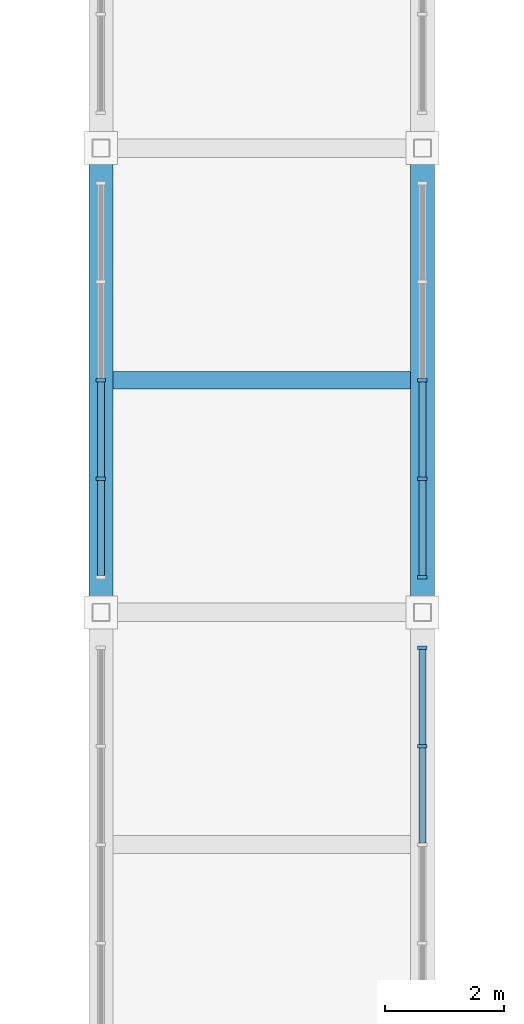
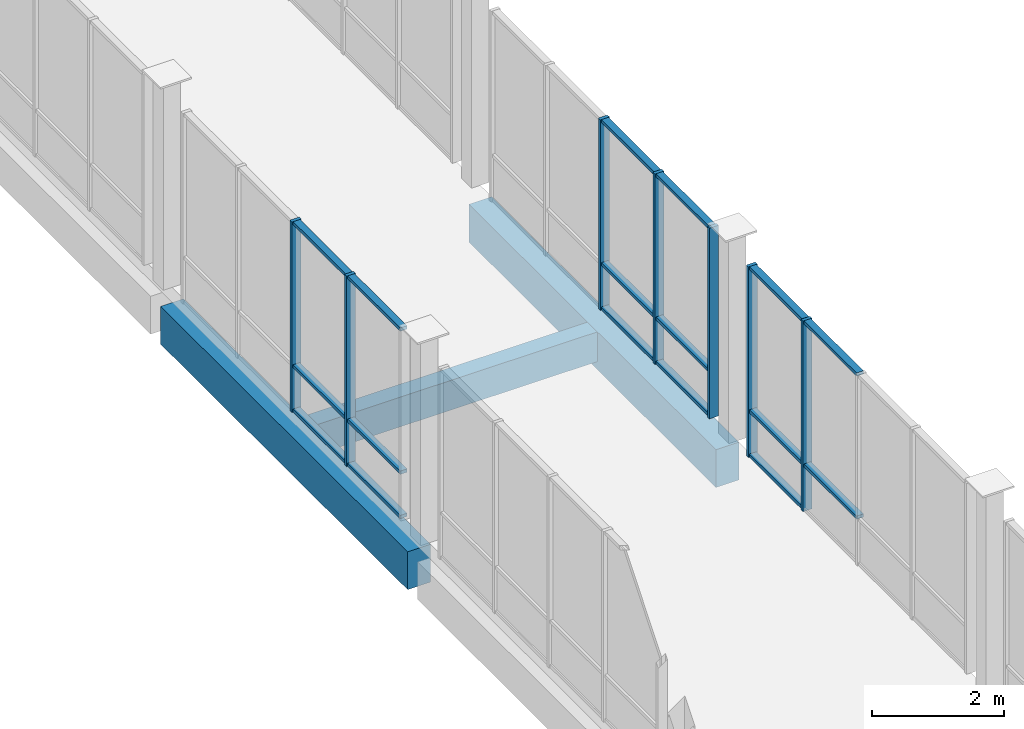
# One storey, part 24 of 85: 24 members, 3 beams, 3 elements without a shape of their own.
"""IFC4 building model written with IfcOpenShell, lengths in metres."""

from ifc_helpers import new_model, si_unit, direction, frame, origin, origin_2d, place, context, subcontext, project, spatial, rectangle, extrude, material, material_profile, profile_set, type_object, element, aggregate, save


model = new_model("IFC4")

# Units and contexts
model_context = context("Model", 3, precision=1e-05, world=origin(), true_north=direction((0.0, 1.0)))
body_context = subcontext(model_context, "Body", "Model", "MODEL_VIEW")
ifc_project = project(units=[si_unit("LENGTHUNIT", "METRE"), si_unit("AREAUNIT", "SQUARE_METRE"), si_unit("VOLUMEUNIT", "CUBIC_METRE"), si_unit("PLANEANGLEUNIT", "RADIAN"), si_unit("MASSUNIT", "GRAM", prefix="KILO")], contexts=[model_context])

# Site, building, storey
site_placement = place(None, origin())
site = spatial("IfcSite", under=ifc_project, at=site_placement, CompositionType="ELEMENT")
building_placement = place(site_placement, origin())
building = spatial("IfcBuilding", under=site, at=building_placement, Name="Vervanel Yard Central Library", CompositionType="ELEMENT")
storey_placement = place(building_placement, frame((0.0, 0.0, 5.10009765625)))
storey = spatial("IfcBuildingStorey", under=building, at=storey_placement, Name="L01", CompositionType="ELEMENT", Elevation=5.10009765625)

# Curtain wall, members
ifc_material_1 = material(Name="Thermally broken anodized aluminium 6063-T6", Category="aluminium")
curtain_wall_type = type_object("IfcCurtainWallType", Name="Boulevard Cafe & Bridge Curtain Wall", PredefinedType="NOTDEFINED", material=ifc_material_1)
curtain_wall_1_placement = place(storey_placement, origin())
curtain_wall_1 = element("IfcCurtainWall", 1, at=curtain_wall_1_placement, inside=storey, type_object=curtain_wall_type, Name="L01 Boulevard Cafe & Bridge Curtain Wall CWR-L01-181", PredefinedType="NOTDEFINED")
ifc_material_profile_1 = material_profile(ifc_material_1, rectangle(XDim=0.06005859375, YDim=0.159912109375, at=origin_2d()), Name="ALU 60x160", Category="aluminium")
ifc_profile_set_1 = profile_set([ifc_material_profile_1], Name="Thermally broken anodized aluminium 6063-T6")
member_type_1 = type_object("IfcMemberType", Name="Bridge & Courtyard Mullion 60x160", PredefinedType="MULLION", material=ifc_profile_set_1)
member_1_placement = place(storey_placement, frame((72.0, 61.044921875, 0.0), z_axis=(0.0, 0.0, 1.0), x_axis=(0.0, 1.0, 0.0)))
member_1 = element("IfcMember", 2, at=member_1_placement, type_object=member_type_1, Name="CWR-L01-181 Mullion 2", PredefinedType="MULLION", context=body_context, shape_type="SweptSolid", body=[
    extrude(rectangle(XDim=0.06005859375, YDim=0.159912109375, at=origin_2d()), origin(), (0.0, 0.0, 1.0), 3.52978515625),
])
member_2_placement = place(storey_placement, frame((72.0, 62.699951171875, 0.0), z_axis=(0.0, 0.0, 1.0), x_axis=(0.0, 1.0, 0.0)))
member_2 = element("IfcMember", 3, at=member_2_placement, type_object=member_type_1, Name="CWR-L01-181 Mullion 3", PredefinedType="MULLION", context=body_context, shape_type="SweptSolid", body=[
    extrude(rectangle(XDim=0.06005859375, YDim=0.159912109375, at=origin_2d()), origin(), (0.0, 0.0, 1.0), 3.52978515625),
])

curtain_wall_2_placement = place(storey_placement, origin())
curtain_wall_2 = element("IfcCurtainWall", 4, at=curtain_wall_2_placement, inside=storey, type_object=curtain_wall_type, Name="L01 Boulevard Cafe & Bridge Curtain Wall CWR-L01-188", PredefinedType="NOTDEFINED")
member_3_placement = place(storey_placement, frame((77.39990234375, 56.554931640625, 0.0), z_axis=(0.0, 0.0, 1.0), x_axis=(0.0, 1.0, 0.0)))
member_3 = element("IfcMember", 5, at=member_3_placement, type_object=member_type_1, Name="CWR-L01-188 Mullion 4", PredefinedType="MULLION", context=body_context, shape_type="SweptSolid", body=[
    extrude(rectangle(XDim=0.06005859375, YDim=0.159912109375, at=origin_2d()), origin(), (0.0, 0.0, 1.0), 3.52978515625),
])
member_4_placement = place(storey_placement, frame((77.39990234375, 58.2099609375, 0.0), z_axis=(0.0, 0.0, 1.0), x_axis=(0.0, 1.0, 0.0)))
member_4 = element("IfcMember", 6, at=member_4_placement, type_object=member_type_1, Name="CWR-L01-188 Mullion 5", PredefinedType="MULLION", context=body_context, shape_type="SweptSolid", body=[
    extrude(rectangle(XDim=0.06005859375, YDim=0.159912109375, at=origin_2d()), origin(), (0.0, 0.0, 1.0), 3.52978515625),
])

curtain_wall_3_placement = place(storey_placement, origin())
curtain_wall_3 = element("IfcCurtainWall", 7, at=curtain_wall_3_placement, inside=storey, type_object=curtain_wall_type, Name="L01 Boulevard Cafe & Bridge Curtain Wall CWR-L01-189", PredefinedType="NOTDEFINED")
member_5_placement = place(storey_placement, frame((77.39990234375, 59.389892578125, 0.0), z_axis=(0.0, 0.0, 1.0), x_axis=(0.0, 1.0, 0.0)))
member_5 = element("IfcMember", 8, at=member_5_placement, type_object=member_type_1, Name="CWR-L01-189 Mullion 1", PredefinedType="MULLION", context=body_context, shape_type="SweptSolid", body=[
    extrude(rectangle(XDim=0.06005859375, YDim=0.159912109375, at=origin_2d()), origin(), (0.0, 0.0, 1.0), 3.52978515625),
])
member_6_placement = place(storey_placement, frame((77.39990234375, 61.044921875, 0.0), z_axis=(0.0, 0.0, 1.0), x_axis=(0.0, 1.0, 0.0)))
member_6 = element("IfcMember", 9, at=member_6_placement, type_object=member_type_1, Name="CWR-L01-189 Mullion 2", PredefinedType="MULLION", context=body_context, shape_type="SweptSolid", body=[
    extrude(rectangle(XDim=0.06005859375, YDim=0.159912109375, at=origin_2d()), origin(), (0.0, 0.0, 1.0), 3.52978515625),
])
member_7_placement = place(storey_placement, frame((77.39990234375, 62.699951171875, 0.0), z_axis=(0.0, 0.0, 1.0), x_axis=(0.0, 1.0, 0.0)))
member_7 = element("IfcMember", 10, at=member_7_placement, type_object=member_type_1, Name="CWR-L01-189 Mullion 3", PredefinedType="MULLION", context=body_context, shape_type="SweptSolid", body=[
    extrude(rectangle(XDim=0.06005859375, YDim=0.159912109375, at=origin_2d()), origin(), (0.0, 0.0, 1.0), 3.52978515625),
])

# Member
ifc_material_profile_2 = material_profile(ifc_material_1, rectangle(XDim=0.06005859375, YDim=0.1201171875, at=origin_2d()), Name="ALU 60x120", Category="aluminium")
ifc_profile_set_2 = profile_set([ifc_material_profile_2], Name="Thermally broken anodized aluminium 6063-T6")
member_type_2 = type_object("IfcMemberType", Name="Bridge & Courtyard Transom 60x120", PredefinedType="NOTDEFINED", material=ifc_profile_set_2)
member_8_placement = place(storey_placement, frame((72.0, 59.419921875, 0.02978515625), z_axis=(0.0, 1.0, 0.0), x_axis=(0.0, 0.0, 1.0)))
member_8 = element("IfcMember", 11, at=member_8_placement, type_object=member_type_2, Name="CWR-L01-181 Transom B1-T1", ObjectType="TRANSOM", PredefinedType="USERDEFINED", context=body_context, shape_type="SweptSolid", body=[
    extrude(rectangle(XDim=0.06005859375, YDim=0.1201171875, at=origin_2d()), origin(), (0.0, 0.0, 1.0), 1.594970703125),
])

member_9_placement = place(storey_placement, frame((72.0, 59.419921875, 0.849853515625), z_axis=(0.0, 1.0, 0.0), x_axis=(0.0, 0.0, 1.0)))
member_9 = element("IfcMember", 12, at=member_9_placement, type_object=member_type_2, Name="CWR-L01-181 Transom B1-T2", ObjectType="TRANSOM", PredefinedType="USERDEFINED", context=body_context, shape_type="SweptSolid", body=[
    extrude(rectangle(XDim=0.06005859375, YDim=0.1201171875, at=origin_2d()), origin(), (0.0, 0.0, 1.0), 1.594970703125),
])

member_10_placement = place(storey_placement, frame((72.0, 59.419921875, 3.5), z_axis=(0.0, 1.0, 0.0), x_axis=(0.0, 0.0, 1.0)))
member_10 = element("IfcMember", 13, at=member_10_placement, type_object=member_type_2, Name="CWR-L01-181 Transom B1-T3", ObjectType="TRANSOM", PredefinedType="USERDEFINED", context=body_context, shape_type="SweptSolid", body=[
    extrude(rectangle(XDim=0.06005859375, YDim=0.1201171875, at=origin_2d()), origin(), (0.0, 0.0, 1.0), 1.594970703125),
])

member_11_placement = place(storey_placement, frame((72.0, 61.074951171875, 0.02978515625), z_axis=(0.0, 1.0, 0.0), x_axis=(0.0, 0.0, 1.0)))
member_11 = element("IfcMember", 14, at=member_11_placement, type_object=member_type_2, Name="CWR-L01-181 Transom B2-T1", ObjectType="TRANSOM", PredefinedType="USERDEFINED", context=body_context, shape_type="SweptSolid", body=[
    extrude(rectangle(XDim=0.06005859375, YDim=0.1201171875, at=origin_2d()), origin(), (0.0, 0.0, 1.0), 1.594970703125),
])

member_12_placement = place(storey_placement, frame((72.0, 61.074951171875, 0.849853515625), z_axis=(0.0, 1.0, 0.0), x_axis=(0.0, 0.0, 1.0)))
member_12 = element("IfcMember", 15, at=member_12_placement, type_object=member_type_2, Name="CWR-L01-181 Transom B2-T2", ObjectType="TRANSOM", PredefinedType="USERDEFINED", context=body_context, shape_type="SweptSolid", body=[
    extrude(rectangle(XDim=0.06005859375, YDim=0.1201171875, at=origin_2d()), origin(), (0.0, 0.0, 1.0), 1.594970703125),
])

member_13_placement = place(storey_placement, frame((72.0, 61.074951171875, 3.5), z_axis=(0.0, 1.0, 0.0), x_axis=(0.0, 0.0, 1.0)))
member_13 = element("IfcMember", 16, at=member_13_placement, type_object=member_type_2, Name="CWR-L01-181 Transom B2-T3", ObjectType="TRANSOM", PredefinedType="USERDEFINED", context=body_context, shape_type="SweptSolid", body=[
    extrude(rectangle(XDim=0.06005859375, YDim=0.1201171875, at=origin_2d()), origin(), (0.0, 0.0, 1.0), 1.594970703125),
])

aggregate(curtain_wall_1, [member_1, member_2, member_8, member_9, member_10, member_11, member_12, member_13])

member_14_placement = place(storey_placement, frame((77.39990234375, 54.929931640625, 0.849853515625), z_axis=(0.0, 1.0, 0.0), x_axis=(0.0, 0.0, 1.0)))
member_14 = element("IfcMember", 17, at=member_14_placement, type_object=member_type_2, Name="CWR-L01-188 Transom B3-T2", ObjectType="TRANSOM", PredefinedType="USERDEFINED", context=body_context, shape_type="SweptSolid", body=[
    extrude(rectangle(XDim=0.06005859375, YDim=0.1201171875, at=origin_2d()), origin(), (0.0, 0.0, 1.0), 1.594970703125),
])

member_15_placement = place(storey_placement, frame((77.39990234375, 54.929931640625, 3.5), z_axis=(0.0, 1.0, 0.0), x_axis=(0.0, 0.0, 1.0)))
member_15 = element("IfcMember", 18, at=member_15_placement, type_object=member_type_2, Name="CWR-L01-188 Transom B3-T3", ObjectType="TRANSOM", PredefinedType="USERDEFINED", context=body_context, shape_type="SweptSolid", body=[
    extrude(rectangle(XDim=0.06005859375, YDim=0.1201171875, at=origin_2d()), origin(), (0.0, 0.0, 1.0), 1.594970703125),
])

member_16_placement = place(storey_placement, frame((77.39990234375, 56.5849609375, 0.02978515625), z_axis=(0.0, 1.0, 0.0), x_axis=(0.0, 0.0, 1.0)))
member_16 = element("IfcMember", 19, at=member_16_placement, type_object=member_type_2, Name="CWR-L01-188 Transom B4-T1", ObjectType="TRANSOM", PredefinedType="USERDEFINED", context=body_context, shape_type="SweptSolid", body=[
    extrude(rectangle(XDim=0.06005859375, YDim=0.1201171875, at=origin_2d()), origin(), (0.0, 0.0, 1.0), 1.594970703125),
])

member_17_placement = place(storey_placement, frame((77.39990234375, 56.5849609375, 0.849853515625), z_axis=(0.0, 1.0, 0.0), x_axis=(0.0, 0.0, 1.0)))
member_17 = element("IfcMember", 20, at=member_17_placement, type_object=member_type_2, Name="CWR-L01-188 Transom B4-T2", ObjectType="TRANSOM", PredefinedType="USERDEFINED", context=body_context, shape_type="SweptSolid", body=[
    extrude(rectangle(XDim=0.06005859375, YDim=0.1201171875, at=origin_2d()), origin(), (0.0, 0.0, 1.0), 1.594970703125),
])

member_18_placement = place(storey_placement, frame((77.39990234375, 56.5849609375, 3.5), z_axis=(0.0, 1.0, 0.0), x_axis=(0.0, 0.0, 1.0)))
member_18 = element("IfcMember", 21, at=member_18_placement, type_object=member_type_2, Name="CWR-L01-188 Transom B4-T3", ObjectType="TRANSOM", PredefinedType="USERDEFINED", context=body_context, shape_type="SweptSolid", body=[
    extrude(rectangle(XDim=0.06005859375, YDim=0.1201171875, at=origin_2d()), origin(), (0.0, 0.0, 1.0), 1.594970703125),
])

aggregate(curtain_wall_2, [member_3, member_4, member_14, member_15, member_16, member_17, member_18])

member_19_placement = place(storey_placement, frame((77.39990234375, 59.419921875, 0.02978515625), z_axis=(0.0, 1.0, 0.0), x_axis=(0.0, 0.0, 1.0)))
member_19 = element("IfcMember", 22, at=member_19_placement, type_object=member_type_2, Name="CWR-L01-189 Transom B1-T1", ObjectType="TRANSOM", PredefinedType="USERDEFINED", context=body_context, shape_type="SweptSolid", body=[
    extrude(rectangle(XDim=0.06005859375, YDim=0.1201171875, at=origin_2d()), origin(), (0.0, 0.0, 1.0), 1.594970703125),
])

member_20_placement = place(storey_placement, frame((77.39990234375, 59.419921875, 0.849853515625), z_axis=(0.0, 1.0, 0.0), x_axis=(0.0, 0.0, 1.0)))
member_20 = element("IfcMember", 23, at=member_20_placement, type_object=member_type_2, Name="CWR-L01-189 Transom B1-T2", ObjectType="TRANSOM", PredefinedType="USERDEFINED", context=body_context, shape_type="SweptSolid", body=[
    extrude(rectangle(XDim=0.06005859375, YDim=0.1201171875, at=origin_2d()), origin(), (0.0, 0.0, 1.0), 1.594970703125),
])

member_21_placement = place(storey_placement, frame((77.39990234375, 59.419921875, 3.5), z_axis=(0.0, 1.0, 0.0), x_axis=(0.0, 0.0, 1.0)))
member_21 = element("IfcMember", 24, at=member_21_placement, type_object=member_type_2, Name="CWR-L01-189 Transom B1-T3", ObjectType="TRANSOM", PredefinedType="USERDEFINED", context=body_context, shape_type="SweptSolid", body=[
    extrude(rectangle(XDim=0.06005859375, YDim=0.1201171875, at=origin_2d()), origin(), (0.0, 0.0, 1.0), 1.594970703125),
])

member_22_placement = place(storey_placement, frame((77.39990234375, 61.074951171875, 0.02978515625), z_axis=(0.0, 1.0, 0.0), x_axis=(0.0, 0.0, 1.0)))
member_22 = element("IfcMember", 25, at=member_22_placement, type_object=member_type_2, Name="CWR-L01-189 Transom B2-T1", ObjectType="TRANSOM", PredefinedType="USERDEFINED", context=body_context, shape_type="SweptSolid", body=[
    extrude(rectangle(XDim=0.06005859375, YDim=0.1201171875, at=origin_2d()), origin(), (0.0, 0.0, 1.0), 1.594970703125),
])

member_23_placement = place(storey_placement, frame((77.39990234375, 61.074951171875, 0.849853515625), z_axis=(0.0, 1.0, 0.0), x_axis=(0.0, 0.0, 1.0)))
member_23 = element("IfcMember", 26, at=member_23_placement, type_object=member_type_2, Name="CWR-L01-189 Transom B2-T2", ObjectType="TRANSOM", PredefinedType="USERDEFINED", context=body_context, shape_type="SweptSolid", body=[
    extrude(rectangle(XDim=0.06005859375, YDim=0.1201171875, at=origin_2d()), origin(), (0.0, 0.0, 1.0), 1.594970703125),
])

member_24_placement = place(storey_placement, frame((77.39990234375, 61.074951171875, 3.5), z_axis=(0.0, 1.0, 0.0), x_axis=(0.0, 0.0, 1.0)))
member_24 = element("IfcMember", 27, at=member_24_placement, type_object=member_type_2, Name="CWR-L01-189 Transom B2-T3", ObjectType="TRANSOM", PredefinedType="USERDEFINED", context=body_context, shape_type="SweptSolid", body=[
    extrude(rectangle(XDim=0.06005859375, YDim=0.1201171875, at=origin_2d()), origin(), (0.0, 0.0, 1.0), 1.594970703125),
])

aggregate(curtain_wall_3, [member_5, member_6, member_7, member_19, member_20, member_21, member_22, member_23, member_24])

# Beams
ifc_material_2 = material(Name="Concrete C40/50", Category="concrete")
ifc_material_profile_3 = material_profile(ifc_material_2, rectangle(XDim=0.39990234375, YDim=0.699951171875, at=origin_2d()), Name="RC 400x700", Category="concrete")
ifc_profile_set_3 = profile_set([ifc_material_profile_3], Name="Concrete C40/50")
beam_type_1 = type_object("IfcBeamType", Name="Concrete Perimeter Spandrel 400x700", PredefinedType="SPANDREL", material=ifc_profile_set_3)
for number, where, z_axis, x_axis, name in (
    (28, (72.0, 58.952392578125, -0.630126953125), (0.0, 1.0, 0.0), (-1.0, 0.0, 0.0), "L01 Girder SP-01 X=72.0 Y=58.8-66.6"),
    (29, (77.39990234375, 58.952392578125, -0.630126953125), (0.0, 1.0, 0.0), (-1.0, 0.0, 0.0), "L01 Girder SP-01 X=77.4 Y=58.8-66.6"),
):
    element("IfcBeam", number, at=place(storey_placement, frame(where, z_axis=z_axis, x_axis=x_axis)), inside=storey, type_object=beam_type_1, Name=name, PredefinedType="SPANDREL", context=body_context, shape_type="SweptSolid", body=[
        extrude(rectangle(XDim=0.39990234375, YDim=0.699951171875, at=origin_2d()), origin(), (0.0, 0.0, 1.0), 7.4951171875),
    ])
ifc_material_profile_4 = material_profile(ifc_material_2, rectangle(XDim=0.300048828125, YDim=0.550048828125, at=origin_2d()), Name="RC 300x550", Category="concrete")
ifc_profile_set_4 = profile_set([ifc_material_profile_4], Name="Concrete C40/50")
beam_type_2 = type_object("IfcBeamType", Name="Concrete Secondary Joist 300x550", PredefinedType="JOIST", material=ifc_profile_set_4)
beam_placement = place(storey_placement, frame((72.199951171875, 62.699951171875, -0.55517578125), z_axis=(1.0, 0.0, 0.0), x_axis=(0.0, 1.0, 0.0)))
element("IfcBeam", 30, at=beam_placement, inside=storey, type_object=beam_type_2, Name="L01 Floor Joist CJ-02 Y=62.70 X=72.0-77.4", PredefinedType="JOIST", context=body_context, shape_type="SweptSolid", body=[
    extrude(rectangle(XDim=0.300048828125, YDim=0.550048828125, at=origin_2d()), origin(), (0.0, 0.0, 1.0), 5.0),
])

save(model, "model.ifc")
